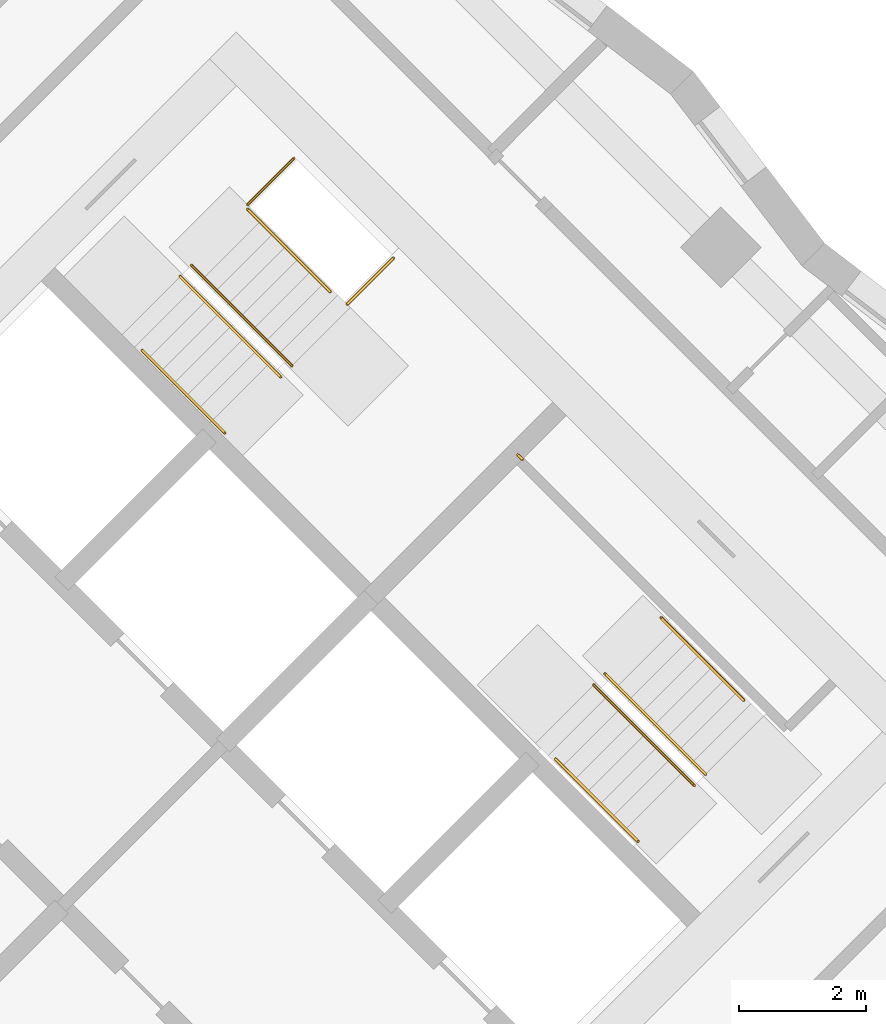
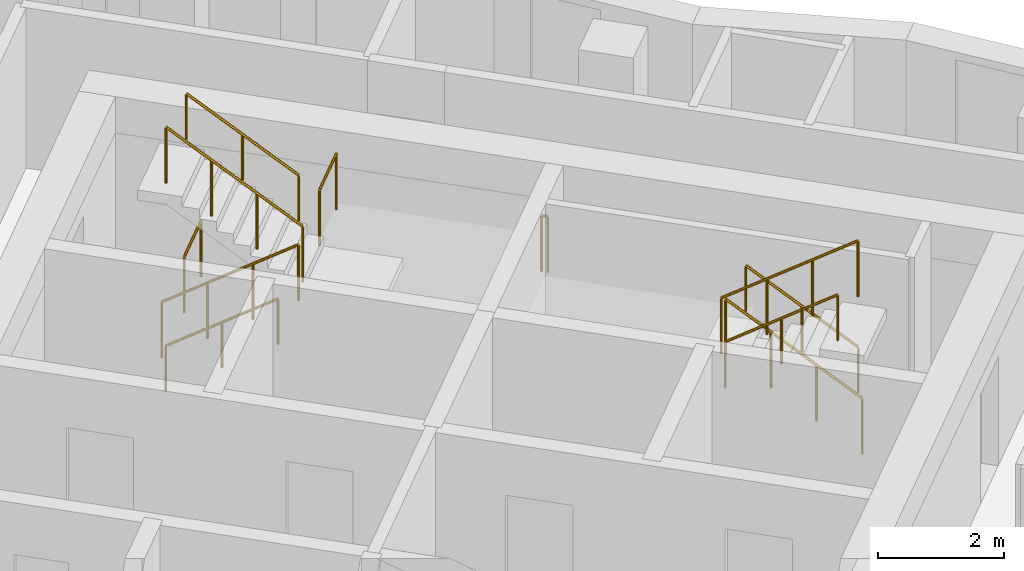
# One storey, part 12 of 12: 11 railings.
"""IFC4 building model written with IfcOpenShell, lengths in metres."""

from ifc_helpers import new_model, si_unit, direction, frame, origin, origin_2d, place, context, subcontext, project, spatial, circle, extrude, material, type_object, element, save


model = new_model("IFC4")

# Units and contexts
model_context = context("Model", 3, precision=1e-05, world=origin(), true_north=direction((0.0, 1.0)))
body_context = subcontext(model_context, "Body", "Model", "MODEL_VIEW")
ifc_project = project(units=[si_unit("LENGTHUNIT", "METRE"), si_unit("AREAUNIT", "SQUARE_METRE"), si_unit("VOLUMEUNIT", "CUBIC_METRE"), si_unit("PLANEANGLEUNIT", "RADIAN"), si_unit("MASSUNIT", "GRAM", prefix="KILO")], contexts=[model_context])

# Site, building, storey
site_placement = place(None, origin())
site = spatial("IfcSite", under=ifc_project, at=site_placement, CompositionType="ELEMENT")
building_placement = place(site_placement, origin())
building = spatial("IfcBuilding", under=site, at=building_placement, Name="Windrow Commons", CompositionType="ELEMENT")
storey_placement = place(building_placement, frame((0.0, 0.0, 152.4)))
storey = spatial("IfcBuildingStorey", under=building, at=storey_placement, Name="L41", CompositionType="ELEMENT", Elevation=152.4)

# Railings
ifc_material_1 = material(Name="Steel S355", Category="steel")
railing_type_1 = type_object("IfcRailingType", Name="Core stair guard 1100", PredefinedType="GUARDRAIL", material=ifc_material_1)
railing_1_placement = place(storey_placement, frame((85.9529, 56.2669, 0.1889)))
element("IfcRailing", 1, at=railing_1_placement, inside=storey, type_object=railing_type_1, Name="L41 ST-B1 stair guard 1", PredefinedType="GUARDRAIL", context=body_context, shape_type="SweptSolid", body=[
    extrude(circle(Radius=0.024, at=origin_2d()), frame((0.0, 0.0, 1.076), z_axis=(0.5861914914, -0.5861914914, 0.5592486664), x_axis=(0.7071067812, 0.7071067812, 0.0)), (0.0, 0.0, 1.0), 2.702),
    extrude(circle(Radius=0.021, at=origin_2d()), origin(), (0.0, 0.0, 1.0), 1.052),
    extrude(circle(Radius=0.021, at=origin_2d()), frame((0.528, -0.528, 0.5037)), (0.0, 0.0, 1.0), 1.052),
    extrude(circle(Radius=0.021, at=origin_2d()), frame((1.0559, -1.0559, 1.0074)), (0.0, 0.0, 1.0), 1.052),
    extrude(circle(Radius=0.021, at=origin_2d()), frame((1.5839, -1.5839, 1.5111)), (0.0, 0.0, 1.0), 1.052),
])
railing_2_placement = place(storey_placement, frame((87.7136, 54.8597, 1.8889)))
element("IfcRailing", 2, at=railing_2_placement, inside=storey, type_object=railing_type_1, Name="L41 ST-B1 stair guard 2", PredefinedType="GUARDRAIL", context=body_context, shape_type="SweptSolid", body=[
    extrude(circle(Radius=0.024, at=origin_2d()), frame((0.0, 0.0, 1.076), z_axis=(-0.5862030657, 0.5862030657, 0.5592244018), x_axis=(-0.7071067812, -0.7071067812, 0.0)), (0.0, 0.0, 1.0), 2.7021),
    extrude(circle(Radius=0.021, at=origin_2d()), origin(), (0.0, 0.0, 1.0), 1.052),
    extrude(circle(Radius=0.021, at=origin_2d()), frame((-0.528, 0.528, 0.5037)), (0.0, 0.0, 1.0), 1.052),
    extrude(circle(Radius=0.021, at=origin_2d()), frame((-1.056, 1.056, 1.0074)), (0.0, 0.0, 1.0), 1.052),
    extrude(circle(Radius=0.021, at=origin_2d()), frame((-1.584, 1.584, 1.5111)), (0.0, 0.0, 1.0), 1.052),
])
railing_3_placement = place(storey_placement, frame((87.0135, 57.3982, 0.0)))
element("IfcRailing", 3, at=railing_3_placement, inside=storey, type_object=railing_type_1, Name="L41 ST-B1 stair guard 3", PredefinedType="GUARDRAIL", context=body_context, shape_type="SweptSolid", body=[
    extrude(circle(Radius=0.024, at=origin_2d()), frame((0.0, 0.0, 1.076), z_axis=(0.7070582378, 0.7071553212, 0.0), x_axis=(-0.7071553212, 0.7070582378, 0.0)), (0.0, 0.0, 1.0), 1.03),
    extrude(circle(Radius=0.021, at=origin_2d()), origin(), (0.0, 0.0, 1.0), 1.052),
    extrude(circle(Radius=0.021, at=origin_2d()), frame((0.7283, 0.7284, 0.0)), (0.0, 0.0, 1.0), 1.052),
])
railing_4_placement = place(storey_placement, frame((88.5833, 55.8285, 1.7)))
element("IfcRailing", 4, at=railing_4_placement, inside=storey, type_object=railing_type_1, Name="L41 ST-B1 stair guard 4", PredefinedType="GUARDRAIL", context=body_context, shape_type="SweptSolid", body=[
    extrude(circle(Radius=0.024, at=origin_2d()), frame((0.0, 0.0, 1.076), z_axis=(0.7071067812, 0.7071067812, 0.0), x_axis=(-0.7071067812, 0.7071067812, 0.0)), (0.0, 0.0, 1.0), 1.03),
    extrude(circle(Radius=0.021, at=origin_2d()), origin(), (0.0, 0.0, 1.0), 1.052),
    extrude(circle(Radius=0.021, at=origin_2d()), frame((0.7283, 0.7283, 0.0)), (0.0, 0.0, 1.0), 1.052),
])
railing_5_placement = place(storey_placement, frame((94.2296, 48.4215, 0.1889)))
element("IfcRailing", 5, at=railing_5_placement, inside=storey, type_object=railing_type_1, Name="L41 ST-B2 stair guard 1", PredefinedType="GUARDRAIL", context=body_context, shape_type="SweptSolid", body=[
    extrude(circle(Radius=0.024, at=origin_2d()), frame((0.0, 0.0, 1.076), z_axis=(-0.5862157828, 0.5861787742, 0.5592365337), x_axis=(-0.7070844598, -0.7071291018, 0.0)), (0.0, 0.0, 1.0), 2.7021),
    extrude(circle(Radius=0.021, at=origin_2d()), origin(), (0.0, 0.0, 1.0), 1.052),
    extrude(circle(Radius=0.021, at=origin_2d()), frame((-0.528, 0.528, 0.5037)), (0.0, 0.0, 1.0), 1.052),
    extrude(circle(Radius=0.021, at=origin_2d()), frame((-1.056, 1.0559, 1.0074)), (0.0, 0.0, 1.0), 1.052),
    extrude(circle(Radius=0.021, at=origin_2d()), frame((-1.584, 1.5839, 1.5111)), (0.0, 0.0, 1.0), 1.052),
])
railing_6_placement = place(storey_placement, frame((92.4689, 49.8287, 1.8889)))
element("IfcRailing", 6, at=railing_6_placement, inside=storey, type_object=railing_type_1, Name="L41 ST-B2 stair guard 2", PredefinedType="GUARDRAIL", context=body_context, shape_type="SweptSolid", body=[
    extrude(circle(Radius=0.024, at=origin_2d()), frame((0.0, 0.0, 1.076), z_axis=(0.5861787742, -0.5862157828, 0.5592365337), x_axis=(0.7071291018, 0.7070844598, 0.0)), (0.0, 0.0, 1.0), 2.7021),
    extrude(circle(Radius=0.021, at=origin_2d()), origin(), (0.0, 0.0, 1.0), 1.052),
    extrude(circle(Radius=0.021, at=origin_2d()), frame((0.528, -0.528, 0.5037)), (0.0, 0.0, 1.0), 1.052),
    extrude(circle(Radius=0.021, at=origin_2d()), frame((1.0559, -1.056, 1.0074)), (0.0, 0.0, 1.0), 1.052),
    extrude(circle(Radius=0.021, at=origin_2d()), frame((1.5839, -1.584, 1.5111)), (0.0, 0.0, 1.0), 1.052),
])
railing_7_placement = place(storey_placement, frame((91.3446, 53.3854, 1.7)))
element("IfcRailing", 7, at=railing_7_placement, inside=storey, type_object=railing_type_1, Name="L41 ST-B2 stair guard 3", PredefinedType="GUARDRAIL", context=body_context, shape_type="SweptSolid", body=[
    extrude(circle(Radius=0.024, at=origin_2d()), frame((0.0, 0.0, 1.076), z_axis=(-0.7076063266, 0.7066068826, 0.0), x_axis=(-0.7066068826, -0.7076063266, 0.0)), (0.0, 0.0, 1.0), 0.1001),
    extrude(circle(Radius=0.021, at=origin_2d()), origin(), (0.0, 0.0, 1.0), 1.052),
    extrude(circle(Radius=0.021, at=origin_2d()), frame((-0.0708, 0.0707, 0.0)), (0.0, 0.0, 1.0), 1.052),
])
ifc_material_2 = material(Name="Steel S355", Category="steel")
railing_type_2 = type_object("IfcRailingType", Name="Core stair handrail 900", PredefinedType="HANDRAIL", material=ifc_material_2)
railing_8_placement = place(storey_placement, frame((85.3518, 55.1001, 0.4587)))
element("IfcRailing", 8, at=railing_8_placement, inside=storey, type_object=railing_type_2, Name="L41 ST-B1 stair handrail 1", PredefinedType="HANDRAIL", context=body_context, shape_type="SweptSolid", body=[
    extrude(circle(Radius=0.024, at=origin_2d()), frame((0.0, 0.0, 0.876), z_axis=(0.586206706, -0.5861616513, 0.5592639952), x_axis=(0.7070796062, 0.7071339551, 0.0)), (0.0, 0.0, 1.0), 2.2195),
    extrude(circle(Radius=0.021, at=origin_2d()), origin(), (0.0, 0.0, 1.0), 0.852),
    extrude(circle(Radius=0.021, at=origin_2d()), frame((0.6506, -0.6505, 0.6206)), (0.0, 0.0, 1.0), 0.852),
    extrude(circle(Radius=0.021, at=origin_2d()), frame((1.3011, -1.301, 1.2413)), (0.0, 0.0, 1.0), 0.852),
])
railing_9_placement = place(storey_placement, frame((88.3146, 56.0265, 2.1587)))
element("IfcRailing", 9, at=railing_9_placement, inside=storey, type_object=railing_type_2, Name="L41 ST-B1 stair handrail 2", PredefinedType="HANDRAIL", context=body_context, shape_type="SweptSolid", body=[
    extrude(circle(Radius=0.024, at=origin_2d()), frame((0.0, 0.0, 0.876), z_axis=(-0.586206706, 0.5861616513, 0.5592639952), x_axis=(-0.7070796062, -0.7071339551, 0.0)), (0.0, 0.0, 1.0), 2.2195),
    extrude(circle(Radius=0.021, at=origin_2d()), origin(), (0.0, 0.0, 1.0), 0.852),
    extrude(circle(Radius=0.021, at=origin_2d()), frame((-0.6506, 0.6505, 0.6207)), (0.0, 0.0, 1.0), 0.852),
    extrude(circle(Radius=0.021, at=origin_2d()), frame((-1.3011, 1.301, 1.2413)), (0.0, 0.0, 1.0), 0.852),
])
railing_10_placement = place(storey_placement, frame((94.8306, 49.5883, 0.4587)))
element("IfcRailing", 10, at=railing_10_placement, inside=storey, type_object=railing_type_2, Name="L41 ST-B2 stair handrail 1", PredefinedType="HANDRAIL", context=body_context, shape_type="SweptSolid", body=[
    extrude(circle(Radius=0.024, at=origin_2d()), frame((0.0, 0.0, 0.876), z_axis=(-0.586206706, 0.5861616513, 0.5592639952), x_axis=(-0.7070796062, -0.7071339551, 0.0)), (0.0, 0.0, 1.0), 2.2195),
    extrude(circle(Radius=0.021, at=origin_2d()), origin(), (0.0, 0.0, 1.0), 0.852),
    extrude(circle(Radius=0.021, at=origin_2d()), frame((-0.6506, 0.6505, 0.6206)), (0.0, 0.0, 1.0), 0.852),
    extrude(circle(Radius=0.021, at=origin_2d()), frame((-1.3011, 1.301, 1.2413)), (0.0, 0.0, 1.0), 0.852),
])
railing_11_placement = place(storey_placement, frame((91.8678, 48.6619, 2.1587)))
element("IfcRailing", 11, at=railing_11_placement, inside=storey, type_object=railing_type_2, Name="L41 ST-B2 stair handrail 2", PredefinedType="HANDRAIL", context=body_context, shape_type="SweptSolid", body=[
    extrude(circle(Radius=0.024, at=origin_2d()), frame((0.0, 0.0, 0.876), z_axis=(0.586206706, -0.5861616513, 0.5592639952), x_axis=(0.7070796062, 0.7071339551, 0.0)), (0.0, 0.0, 1.0), 2.2195),
    extrude(circle(Radius=0.021, at=origin_2d()), origin(), (0.0, 0.0, 1.0), 0.852),
    extrude(circle(Radius=0.021, at=origin_2d()), frame((0.6505, -0.6505, 0.6207)), (0.0, 0.0, 1.0), 0.852),
    extrude(circle(Radius=0.021, at=origin_2d()), frame((1.3011, -1.301, 1.2413)), (0.0, 0.0, 1.0), 0.852),
])

save(model, "model.ifc")
